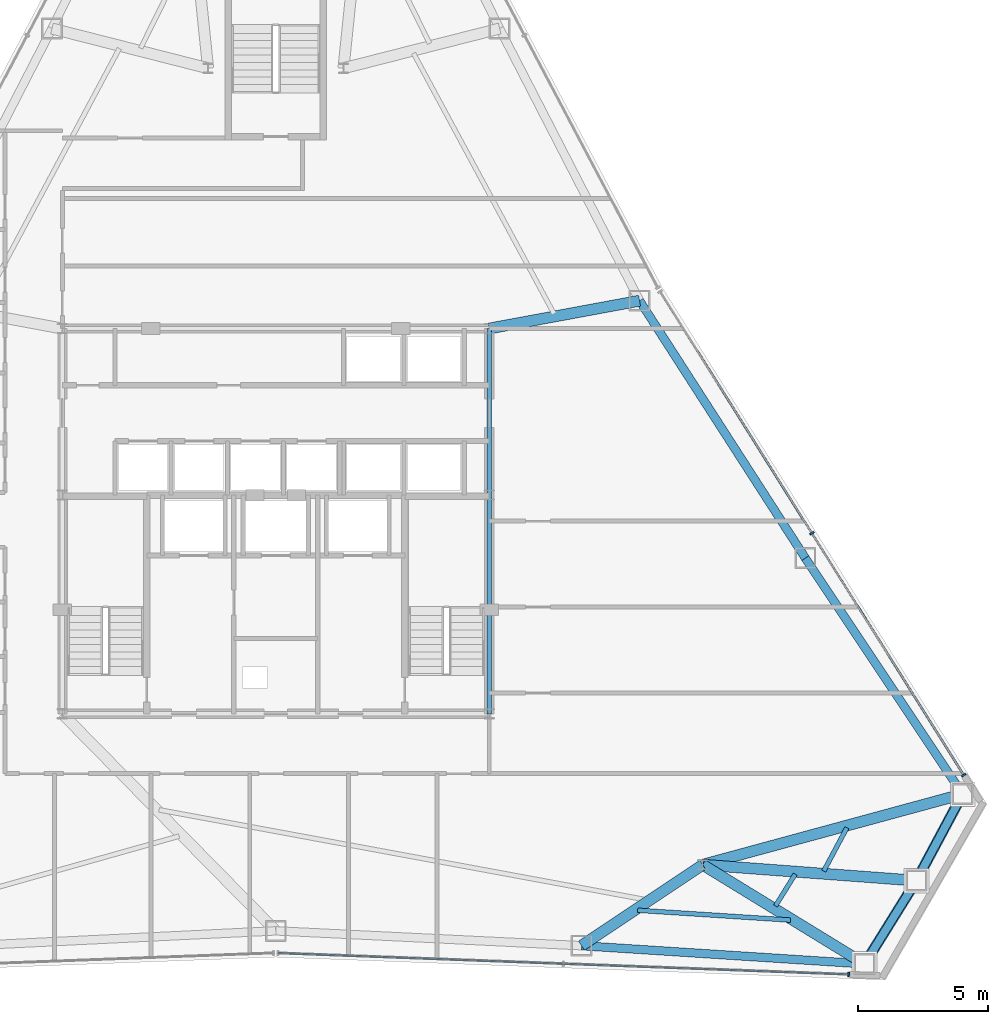
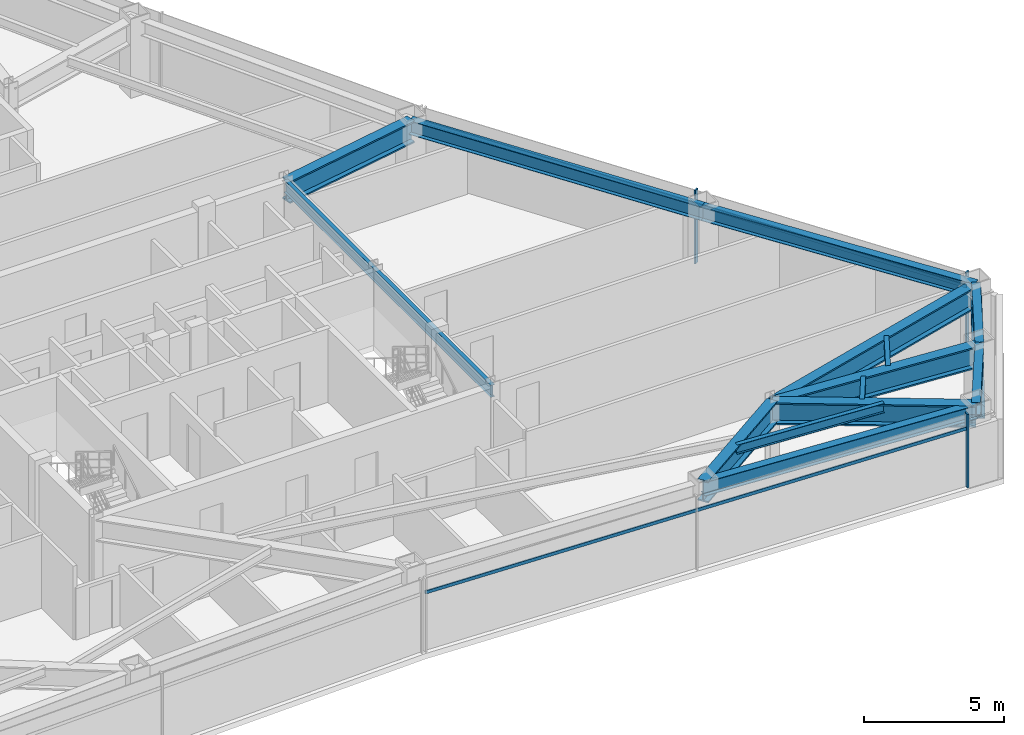
# One storey, part 7 of 13: 14 beams, 7 members, 2 elements without a shape of their own.
"""IFC4 building model written with IfcOpenShell, lengths in metres."""

from ifc_helpers import new_model, si_unit, direction, frame, origin, origin_2d, place, context, subcontext, project, spatial, rectangle, hollow_rectangle, i_section, extrude, source, transform, mapped, material, layer, layer_set, material_profile, profile_set, type_object, type_shapes, element, aggregate, save


model = new_model("IFC4")

# Units and contexts
model_context = context("Model", 3, precision=1e-05, world=origin(), true_north=direction((0.0, 1.0)))
body_context = subcontext(model_context, "Body", "Model", "MODEL_VIEW")
ifc_project = project(units=[si_unit("LENGTHUNIT", "METRE"), si_unit("AREAUNIT", "SQUARE_METRE"), si_unit("VOLUMEUNIT", "CUBIC_METRE"), si_unit("PLANEANGLEUNIT", "RADIAN"), si_unit("MASSUNIT", "GRAM", prefix="KILO")], contexts=[model_context])

# Site, building, storey
site_placement = place(None, origin())
site = spatial("IfcSite", under=ifc_project, at=site_placement, CompositionType="ELEMENT")
building_placement = place(site_placement, origin())
building = spatial("IfcBuilding", under=site, at=building_placement, Name="Varakhsha Concourse Tower", CompositionType="ELEMENT")
storey_placement = place(building_placement, frame((0.0, 0.0, 172.35009765625)))
storey = spatial("IfcBuildingStorey", under=building, at=storey_placement, Name="L49", CompositionType="ELEMENT", Elevation=172.35009765625)

# Beams
ifc_material_1 = material(Name="Structural Steel ASTM A992 Grade 50", Category="steel")
ifc_material_profile_1 = material_profile(ifc_material_1, i_section(OverallWidth=0.177978515625, OverallDepth=0.406982421875, WebThickness=0.008056640625, FlangeThickness=0.012939453125, at=origin_2d()), Name="W16X40")
ifc_profile_set_1 = profile_set([ifc_material_profile_1], Name="Structural Steel ASTM A992 Grade 50")
beam_type_1 = type_object("IfcBeamType", Name="BM-JST-W16X40", PredefinedType="JOIST", material=ifc_profile_set_1)
beam_1_placement = place(storey_placement, frame((53.902587890625, 8.851806640625, 3.00634765625), z_axis=(0.99793209754, -0.064276968651, 0.0), x_axis=(0.064276968651, 0.99793209754, 0.0)))
element("IfcBeam", 1, at=beam_1_placement, inside=storey, type_object=beam_type_1, Name="BM-TJST-L49-12", PredefinedType="JOIST", context=body_context, shape_type="SweptSolid", body=[
    extrude(i_section(OverallWidth=0.177978515625, OverallDepth=0.406982421875, WebThickness=0.008056640625, FlangeThickness=0.012939453125, at=origin_2d()), origin(), (0.0, 0.0, 1.0), 5.883544921875),
])
beam_2_placement = place(storey_placement, frame((59.1953125, 9.01708984375, 3.00634765625), z_axis=(0.528059854991, 0.849207153495, 0.0), x_axis=(-0.849207153495, 0.528059854991, 0.0)))
element("IfcBeam", 2, at=beam_2_placement, inside=storey, type_object=beam_type_1, Name="BM-TJST-L49-13", PredefinedType="JOIST", context=body_context, shape_type="SweptSolid", body=[
    extrude(i_section(OverallWidth=0.177978515625, OverallDepth=0.406982421875, WebThickness=0.008056640625, FlangeThickness=0.012939453125, at=origin_2d()), origin(), (0.0, 0.0, 1.0), 1.438232421875),
])
beam_3_placement = place(storey_placement, frame((61.050048828125, 10.35595703125, 3.00634765625), z_axis=(0.471432696915, 0.881902042338, 0.0), x_axis=(-0.881902042338, 0.471432696915, 0.0)))
element("IfcBeam", 3, at=beam_3_placement, inside=storey, type_object=beam_type_1, Name="BM-TJST-L49-14", PredefinedType="JOIST", context=body_context, shape_type="SweptSolid", body=[
    extrude(i_section(OverallWidth=0.177978515625, OverallDepth=0.406982421875, WebThickness=0.008056640625, FlangeThickness=0.012939453125, at=origin_2d()), origin(), (0.0, 0.0, 1.0), 1.89013671875),
])
ifc_material_profile_2 = material_profile(ifc_material_1, i_section(OverallWidth=0.423095703125, OverallDepth=0.947998046875, WebThickness=0.0380859375, FlangeThickness=0.06396484375, at=origin_2d()), Name="W36X302")
ifc_profile_set_2 = profile_set([ifc_material_profile_2], Name="Structural Steel ASTM A992 Grade 50")
beam_type_2 = type_object("IfcBeamType", Name="BM-OUTR-W36X302", PredefinedType="USERDEFINED", material=ifc_profile_set_2)
beam_4_placement = place(storey_placement, frame((56.39990234375, 10.60009765625, 2.73583984375), z_axis=(-0.83158036055, -0.555404450782, 0.0), x_axis=(0.555404450782, -0.83158036055, 0.0)))
element("IfcBeam", 4, at=beam_4_placement, inside=storey, type_object=beam_type_2, Name="L49 Radial Floor Girder 12", ObjectType="GIRDER", PredefinedType="USERDEFINED", context=body_context, shape_type="SweptSolid", body=[
    extrude(i_section(OverallWidth=0.423095703125, OverallDepth=0.947998046875, WebThickness=0.0380859375, FlangeThickness=0.06396484375, at=origin_2d()), origin(), (0.0, 0.0, 1.0), 5.598388671875),
])
beam_5_placement = place(storey_placement, frame((56.39990234375, 10.60009765625, 2.73583984375), z_axis=(0.852809936367, -0.522221420888, 0.0), x_axis=(0.522221420888, 0.852809936367, 0.0)))
element("IfcBeam", 5, at=beam_5_placement, inside=storey, type_object=beam_type_2, Name="L49 Radial Floor Girder 13", ObjectType="GIRDER", PredefinedType="USERDEFINED", context=body_context, shape_type="SweptSolid", body=[
    extrude(i_section(OverallWidth=0.423095703125, OverallDepth=0.947998046875, WebThickness=0.0380859375, FlangeThickness=0.06396484375, at=origin_2d()), origin(), (0.0, 0.0, 1.0), 7.294921875),
])
beam_6_placement = place(storey_placement, frame((56.39990234375, 10.60009765625, 2.73583984375), z_axis=(0.99725755111, -0.074009301804, 0.0), x_axis=(0.074009301804, 0.99725755111, 0.0)))
element("IfcBeam", 6, at=beam_6_placement, inside=storey, type_object=beam_type_2, Name="L49 Radial Floor Girder 14", ObjectType="GIRDER", PredefinedType="USERDEFINED", context=body_context, shape_type="SweptSolid", body=[
    extrude(i_section(OverallWidth=0.423095703125, OverallDepth=0.947998046875, WebThickness=0.0380859375, FlangeThickness=0.06396484375, at=origin_2d()), origin(), (0.0, 0.0, 1.0), 8.233642578125),
])
beam_7_placement = place(storey_placement, frame((56.39990234375, 10.60009765625, 2.73583984375), z_axis=(0.965004562858, 0.262233090327, 0.0), x_axis=(-0.262233090327, 0.965004562858, 0.0)))
element("IfcBeam", 7, at=beam_7_placement, inside=storey, type_object=beam_type_2, Name="L49 Radial Floor Girder 15", ObjectType="GIRDER", PredefinedType="USERDEFINED", context=body_context, shape_type="SweptSolid", body=[
    extrude(i_section(OverallWidth=0.423095703125, OverallDepth=0.947998046875, WebThickness=0.0380859375, FlangeThickness=0.06396484375, at=origin_2d()), origin(), (0.0, 0.0, 1.0), 10.35009765625),
])
beam_8_placement = place(storey_placement, frame((48.199951171875, 31.199951171875, 2.73583984375), z_axis=(0.983293026869, 0.182029731939, 0.0), x_axis=(-0.182029731939, 0.983293026869, 0.0)))
element("IfcBeam", 8, at=beam_8_placement, inside=storey, type_object=beam_type_2, Name="L49 Radial Floor Girder 17", ObjectType="GIRDER", PredefinedType="USERDEFINED", context=body_context, shape_type="SweptSolid", body=[
    extrude(i_section(OverallWidth=0.423095703125, OverallDepth=0.947998046875, WebThickness=0.0380859375, FlangeThickness=0.06396484375, at=origin_2d()), origin(), (0.0, 0.0, 1.0), 5.87451171875),
])
ifc_material_profile_3 = material_profile(ifc_material_1, i_section(OverallWidth=0.1669921875, OverallDepth=0.534912109375, WebThickness=0.010009765625, FlangeThickness=0.01708984375, at=origin_2d()), Name="W21X57")
ifc_profile_set_3 = profile_set([ifc_material_profile_3], Name="Structural Steel ASTM A992 Grade 50")
beam_type_3 = type_object("IfcBeamType", Name="BM-RAD-W21X57", PredefinedType="BEAM", material=ifc_profile_set_3)
beam_9_placement = place(storey_placement, frame((48.199951171875, 16.39990234375, 2.9423828125), z_axis=(0.0, 1.0, 0.0), x_axis=(-1.0, 0.0, 0.0)))
element("IfcBeam", 9, at=beam_9_placement, inside=storey, type_object=beam_type_3, Name="BM-TCORE-L49-CE", PredefinedType="BEAM", context=body_context, shape_type="SweptSolid", body=[
    extrude(i_section(OverallWidth=0.1669921875, OverallDepth=0.534912109375, WebThickness=0.010009765625, FlangeThickness=0.01708984375, at=origin_2d()), origin(), (0.0, 0.0, 1.0), 14.800048828125),
])
ifc_material_profile_4 = material_profile(ifc_material_1, i_section(OverallWidth=0.323974609375, OverallDepth=0.611083984375, WebThickness=0.012939453125, FlangeThickness=0.01904296875, at=origin_2d()), Name="W24X104")
ifc_profile_set_4 = profile_set([ifc_material_profile_4], Name="Structural Steel ASTM A992 Grade 50")
beam_type_4 = type_object("IfcBeamType", Name="BM-SPAN-W24X104", PredefinedType="SPANDREL", material=ifc_profile_set_4)
beam_10_placement = place(storey_placement, frame((51.744384765625, 7.49072265625, 2.904296875), z_axis=(0.997934305556, -0.064242678915, 0.0), x_axis=(0.064242678915, 0.997934305556, 0.0)))
element("IfcBeam", 10, at=beam_10_placement, inside=storey, type_object=beam_type_4, Name="BM-SPAN-L49-12", PredefinedType="SPANDREL", context=body_context, shape_type="SweptSolid", body=[
    extrude(i_section(OverallWidth=0.323974609375, OverallDepth=0.611083984375, WebThickness=0.012939453125, FlangeThickness=0.01904296875, at=origin_2d()), origin(), (0.0, 0.0, 1.0), 10.899169921875),
])
for number, where, z_axis, x_axis, name in (
    (11, (62.62109375, 6.79052734375, 2.904296875), (0.528064197342, 0.849204453289, 0.0), (-0.849204453289, 0.528064197342, 0.0), "BM-SPAN-L49-13"),
    (12, (64.611083984375, 9.99072265625, 2.904296875), (0.471432003262, 0.881902413139, 0.0), (-0.881902413139, 0.471432003262, 0.0), "BM-SPAN-L49-14"),
):
    element("IfcBeam", number, at=place(storey_placement, frame(where, z_axis=z_axis, x_axis=x_axis)), inside=storey, type_object=beam_type_4, Name=name, PredefinedType="SPANDREL", context=body_context, shape_type="SweptSolid", body=[
        extrude(i_section(OverallWidth=0.323974609375, OverallDepth=0.611083984375, WebThickness=0.012939453125, FlangeThickness=0.01904296875, at=origin_2d()), origin(), (0.0, 0.0, 1.0), 3.7685546875),
    ])
beam_11_placement = place(storey_placement, frame((66.3876953125, 13.314208984375, 2.904296875), z_axis=(-0.554617486764, 0.832105428041, 0.0), x_axis=(-0.832105428041, -0.554617486764, 0.0)))
element("IfcBeam", 13, at=beam_11_placement, inside=storey, type_object=beam_type_4, Name="BM-SPAN-L49-15", PredefinedType="SPANDREL", context=body_context, shape_type="SweptSolid", body=[
    extrude(i_section(OverallWidth=0.323974609375, OverallDepth=0.611083984375, WebThickness=0.012939453125, FlangeThickness=0.01904296875, at=origin_2d()), origin(), (0.0, 0.0, 1.0), 10.899169921875),
])
beam_12_placement = place(storey_placement, frame((60.3427734375, 22.383544921875, 2.904296875), z_axis=(-0.541439522793, 0.840739700001, 0.0), x_axis=(-0.840739700001, -0.541439522793, 0.0)))
element("IfcBeam", 14, at=beam_12_placement, inside=storey, type_object=beam_type_4, Name="BM-SPAN-L49-16", PredefinedType="SPANDREL", context=body_context, shape_type="SweptSolid", body=[
    extrude(i_section(OverallWidth=0.323974609375, OverallDepth=0.611083984375, WebThickness=0.012939453125, FlangeThickness=0.01904296875, at=origin_2d()), origin(), (0.0, 0.0, 1.0), 11.75830078125),
])

# Members
ifc_material_2 = material(Name="Structural Steel ASTM A500 Grade C", Category="steel")
ifc_material_profile_5 = material_profile(ifc_material_2, hollow_rectangle(XDim=0.39990234375, YDim=0.39990234375, WallThickness=0.01611328125, at=origin_2d()), Name="HSS 400x400x16")
ifc_profile_set_5 = profile_set([ifc_material_profile_5], Name="Structural Steel ASTM A500 Grade C")
member_type_1 = type_object("IfcMemberType", Name="MB-TUBE-HSS400", PredefinedType="BRACE", material=ifc_profile_set_5)
shared_shape_1 = source(origin(), body_context, "Body", "SweptSolid", [
    extrude(hollow_rectangle(XDim=0.39990234375, YDim=0.39990234375, WallThickness=0.01611328125, at=origin_2d()), origin(), (0.0, 0.0, 1.0), 4.68896484375),
])
type_shapes(member_type_1, [shared_shape_1])
for number, where, z_axis, x_axis, name in (
    (15, (64.611083984375, 9.99072265625, 0.119873046875), (-0.424405981571, -0.682506883381, 0.595032702416), (0.849204453289, -0.528064197342, 0.0), "L49 Wind-Corner Tube Brace B05"),
    (16, (64.611083984375, 9.99072265625, 0.119873046875), (0.378893427331, 0.708791566066, 0.595024610079), (-0.881902413139, 0.471432003262, 0.0), "L49 Wind-Corner Tube Brace B06"),
):
    element("IfcMember", number, at=place(storey_placement, frame(where, z_axis=z_axis, x_axis=x_axis)), inside=storey, type_object=member_type_1, Name=name, PredefinedType="BRACE", context=body_context, shape_type="MappedRepresentation", body=[
        mapped(shared_shape_1, transform((0.0, 0.0, 0.0), scale=1.0)),
    ])

# Curtain wall, member
ifc_material_3 = material(Name="Anodised Bronze Architectural Aluminium AA 6063-T6", Category="aluminium")
ifc_layer = layer(ifc_material_3, 0.2099609375, Name="CW-SYS-04")
ifc_layer_set = layer_set([ifc_layer], Name="Anodised Bronze Architectural Aluminium AA 6063-T6")
curtain_wall_type = type_object("IfcCurtainWallType", Name="CW-SYS-04", PredefinedType="NOTDEFINED", material=ifc_layer_set)
curtain_wall_1_placement = place(storey_placement, origin())
curtain_wall_1 = element("IfcCurtainWall", 17, at=curtain_wall_1_placement, inside=storey, type_object=curtain_wall_type, Name="L49 Crystal Curtain Wall F6", PredefinedType="NOTDEFINED")
ifc_material_profile_6 = material_profile(ifc_material_3, rectangle(XDim=0.06494140625, YDim=0.179931640625, at=origin_2d()), Name="CWM-180X65")
ifc_profile_set_6 = profile_set([ifc_material_profile_6], Name="Anodised Bronze Architectural Aluminium AA 6063-T6")
member_type_2 = type_object("IfcMemberType", Name="CWM-180X65", PredefinedType="MULLION", material=ifc_profile_set_6)
shared_shape_2 = source(origin(), body_context, "Body", "SweptSolid", [
    extrude(rectangle(XDim=0.06494140625, YDim=0.179931640625, at=origin_2d()), origin(), (0.0, 0.0, 1.0), 3.2099609375),
])
type_shapes(member_type_2, [shared_shape_2])
member_1_placement = place(storey_placement, frame((62.010009765625, 6.38623046875, 0.0), z_axis=(0.0, 0.0, 1.0), x_axis=(-0.999301264048, 0.037376244769, 0.0)))
member_1 = element("IfcMember", 18, at=member_1_placement, type_object=member_type_2, Name="CW-L49-F6 Mullion 00", PredefinedType="MULLION", context=body_context, shape_type="MappedRepresentation", body=[
    mapped(shared_shape_2, transform((0.0, 0.0, 0.0), scale=1.0)),
])

# Curtain wall, members
curtain_wall_2_placement = place(storey_placement, origin())
curtain_wall_2 = element("IfcCurtainWall", 19, at=curtain_wall_2_placement, inside=storey, type_object=curtain_wall_type, Name="L49 Crystal Curtain Wall F8", PredefinedType="NOTDEFINED")
member_2_placement = place(storey_placement, frame((60.595947265625, 23.333984375, 0.0), z_axis=(0.0, 0.0, 1.0), x_axis=(0.532022365141, -0.846730301212, 0.0)))
member_2 = element("IfcMember", 20, at=member_2_placement, type_object=member_type_2, Name="CW-L49-F8 Mullion 01", PredefinedType="MULLION", context=body_context, shape_type="MappedRepresentation", body=[
    mapped(shared_shape_2, transform((0.0, 0.0, 0.0), scale=1.0)),
])
member_3_placement = place(storey_placement, frame((66.43212890625, 14.045654296875, 0.0), z_axis=(0.0, 0.0, 1.0), x_axis=(0.532022365141, -0.846730301212, 0.0)))
member_3 = element("IfcMember", 21, at=member_3_placement, type_object=member_type_2, Name="CW-L49-F8 Mullion 02", PredefinedType="MULLION", context=body_context, shape_type="MappedRepresentation", body=[
    mapped(shared_shape_2, transform((0.0, 0.0, 0.0), scale=1.0)),
])
ifc_material_profile_7 = material_profile(ifc_material_3, rectangle(XDim=0.06005859375, YDim=0.139892578125, at=origin_2d()), Name="CWT-140X60")
ifc_profile_set_7 = profile_set([ifc_material_profile_7], Name="Anodised Bronze Architectural Aluminium AA 6063-T6")
member_type_3 = type_object("IfcMemberType", Name="CWT-140X60", PredefinedType="USERDEFINED", material=ifc_profile_set_7)
shared_shape_3 = source(origin(), body_context, "Body", "SweptSolid", [
    extrude(rectangle(XDim=0.06005859375, YDim=0.139892578125, at=origin_2d()), origin(), (0.0, 0.0, 1.0), 21.939208984375),
])
member_4_placement = place(storey_placement, frame((54.760009765625, 32.622314453125, 2.559814453125), z_axis=(0.532019983212, -0.846731797834, 0.0), x_axis=(0.846731797834, 0.532019983212, 0.0)))
member_4 = element("IfcMember", 22, at=member_4_placement, type_object=member_type_3, Name="CW-L49-F8 Transom 01", ObjectType="TRANSOM", PredefinedType="USERDEFINED", context=body_context, shape_type="MappedRepresentation", body=[
    mapped(shared_shape_3, transform((0.0, 0.0, 0.0), scale=1.0)),
])
aggregate(curtain_wall_2, [member_2, member_3, member_4])

# Member
shared_shape_4 = source(origin(), body_context, "Body", "SweptSolid", [
    extrude(rectangle(XDim=0.06005859375, YDim=0.139892578125, at=origin_2d()), origin(), (0.0, 0.0, 1.0), 21.939453125),
])
type_shapes(member_type_3, [shared_shape_3, shared_shape_4])
member_5_placement = place(storey_placement, frame((62.010009765625, 6.38623046875, 2.559814453125), z_axis=(-0.999301168886, 0.037378788948, 0.0), x_axis=(-0.037378788948, -0.999301168886, 0.0)))
member_5 = element("IfcMember", 23, at=member_5_placement, type_object=member_type_3, Name="CW-L49-F6 Transom 01", ObjectType="TRANSOM", PredefinedType="USERDEFINED", context=body_context, shape_type="MappedRepresentation", body=[
    mapped(shared_shape_4, transform((0.0, 0.0, 0.0), scale=1.0)),
])

aggregate(curtain_wall_1, [member_1, member_5])

save(model, "model.ifc")
